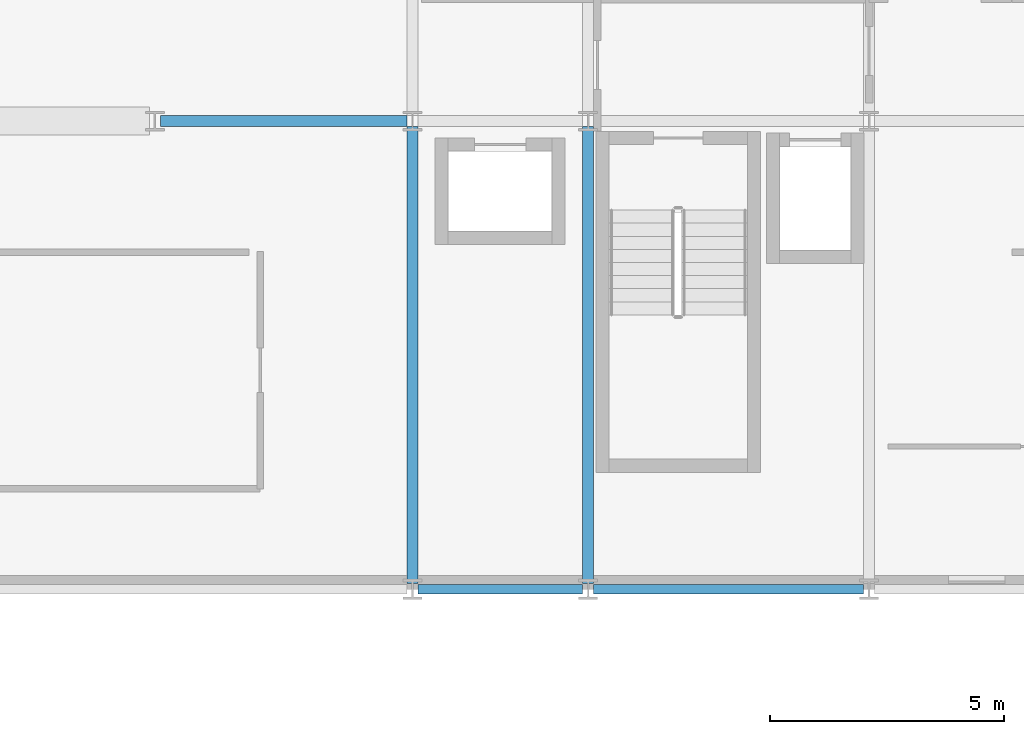
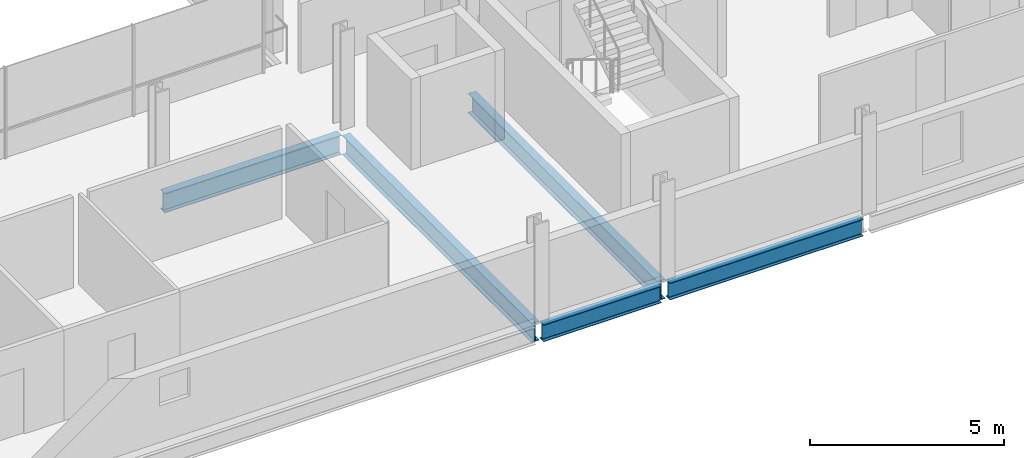
# One storey, part 12 of 40: 5 beams.
"""IFC4 building model written with IfcOpenShell, lengths in metres."""

from ifc_helpers import new_model, si_unit, direction, frame, origin, origin_2d, place, context, subcontext, project, spatial, i_section, extrude, material, material_profile, profile_set, type_object, element, save


model = new_model("IFC4")

# Units and contexts
model_context = context("Model", 3, precision=1e-05, world=origin(), true_north=direction((0.0, 1.0)))
body_context = subcontext(model_context, "Body", "Model", "MODEL_VIEW")
ifc_project = project(units=[si_unit("LENGTHUNIT", "METRE"), si_unit("AREAUNIT", "SQUARE_METRE"), si_unit("VOLUMEUNIT", "CUBIC_METRE"), si_unit("PLANEANGLEUNIT", "RADIAN"), si_unit("MASSUNIT", "GRAM", prefix="KILO")], contexts=[model_context])

# Site, building, storey
site_placement = place(None, origin())
site = spatial("IfcSite", under=ifc_project, at=site_placement, CompositionType="ELEMENT")
building_placement = place(site_placement, origin())
building = spatial("IfcBuilding", under=site, at=building_placement, Name="Brevholm Reach", CompositionType="ELEMENT")
storey_placement = place(building_placement, frame((0.0, 0.0, 131.39990234375)))
storey = spatial("IfcBuildingStorey", under=building, at=storey_placement, Name="L39", CompositionType="ELEMENT", Elevation=131.39990234375)

# Beams
ifc_material_1 = material(Name="Structural Steel S355J2", Category="steel")
ifc_material_profile_1 = material_profile(ifc_material_1, i_section(OverallWidth=0.209228515625, OverallDepth=0.533203125, WebThickness=0.010009765625, FlangeThickness=0.015625, FilletRadius=0.0126953125, at=origin_2d()), Name="UKB 533x210x92")
ifc_profile_set_1 = profile_set([ifc_material_profile_1], Name="Structural Steel S355J2")
beam_type_1 = type_object("IfcBeamType", Name="BM-SP533", PredefinedType="SPANDREL", material=ifc_profile_set_1)
beam_1_placement = place(storey_placement, frame((38.3701171875, 0.0, -0.486572265625), z_axis=(1.0, 0.0, 0.0), x_axis=(0.0, 1.0, 0.0)))
element("IfcBeam", 1, at=beam_1_placement, inside=storey, type_object=beam_type_1, Name="L39 SP-02 Framing Beam", PredefinedType="SPANDREL", context=body_context, shape_type="SweptSolid", body=[
    extrude(i_section(OverallWidth=0.209228515625, OverallDepth=0.533203125, WebThickness=0.010009765625, FlangeThickness=0.015625, FilletRadius=0.0126953125, at=origin_2d()), origin(), (0.0, 0.0, 1.0), 3.509765625),
])
beam_2_placement = place(storey_placement, frame((42.1201171875, 0.0, -0.486572265625), z_axis=(1.0, 0.0, 0.0), x_axis=(0.0, 1.0, 0.0)))
element("IfcBeam", 2, at=beam_2_placement, inside=storey, type_object=beam_type_1, Name="L39 SP-02 Framing Beam", PredefinedType="SPANDREL", context=body_context, shape_type="SweptSolid", body=[
    extrude(i_section(OverallWidth=0.209228515625, OverallDepth=0.533203125, WebThickness=0.010009765625, FlangeThickness=0.015625, FilletRadius=0.0126953125, at=origin_2d()), origin(), (0.0, 0.0, 1.0), 5.759765625),
])
ifc_material_2 = material(Name="Structural Steel S355J2", Category="steel")
ifc_material_profile_2 = material_profile(ifc_material_2, i_section(OverallWidth=0.22900390625, OverallDepth=0.6123046875, WebThickness=0.011962890625, FlangeThickness=0.01953125, FilletRadius=0.0126953125, at=origin_2d()), Name="UKB 610x229x125")
ifc_profile_set_2 = profile_set([ifc_material_profile_2], Name="Structural Steel S355J2")
beam_type_2 = type_object("IfcBeamType", Name="BM-SP610", PredefinedType="SPANDREL", material=ifc_profile_set_2)
beam_3_placement = place(storey_placement, frame((32.8701171875, 10.0, -0.526123046875), z_axis=(1.0, 0.0, 0.0), x_axis=(0.0, 1.0, 0.0)))
element("IfcBeam", 3, at=beam_3_placement, inside=storey, type_object=beam_type_2, Name="L39 SP-01 Framing Beam", PredefinedType="SPANDREL", context=body_context, shape_type="SweptSolid", body=[
    extrude(i_section(OverallWidth=0.22900390625, OverallDepth=0.6123046875, WebThickness=0.011962890625, FlangeThickness=0.01953125, FilletRadius=0.0126953125, at=origin_2d()), origin(), (0.0, 0.0, 1.0), 5.259765625),
])
for number, where, z_axis, x_axis, name in (
    (4, (38.25, 0.1201171875, -0.526123046875), (0.0, 1.0, 0.0), (-1.0, 0.0, 0.0), "L39 SP-01 Framing Beam"),
    (5, (42.0, 0.1201171875, -0.526123046875), (0.0, 1.0, 0.0), (-1.0, 0.0, 0.0), "L39 SP-01 Framing Beam"),
):
    element("IfcBeam", number, at=place(storey_placement, frame(where, z_axis=z_axis, x_axis=x_axis)), inside=storey, type_object=beam_type_2, Name=name, PredefinedType="SPANDREL", context=body_context, shape_type="SweptSolid", body=[
        extrude(i_section(OverallWidth=0.22900390625, OverallDepth=0.6123046875, WebThickness=0.011962890625, FlangeThickness=0.01953125, FilletRadius=0.0126953125, at=origin_2d()), origin(), (0.0, 0.0, 1.0), 9.759765625),
    ])

save(model, "model.ifc")
